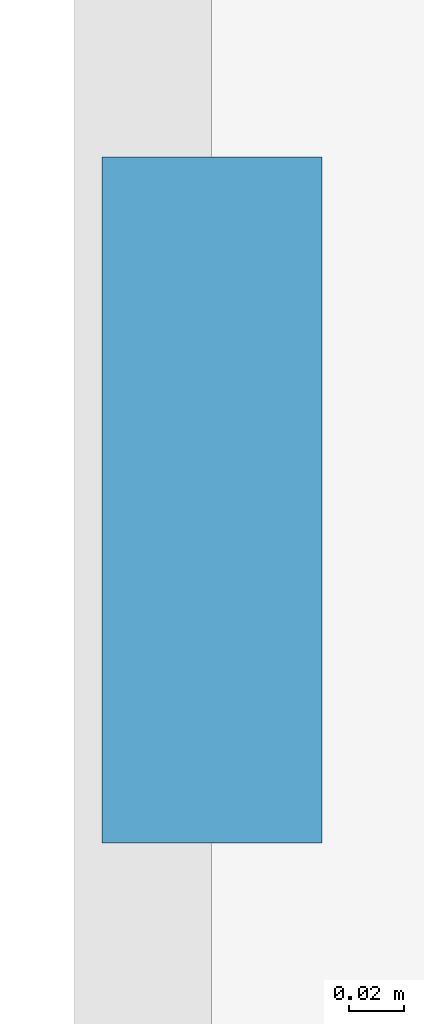
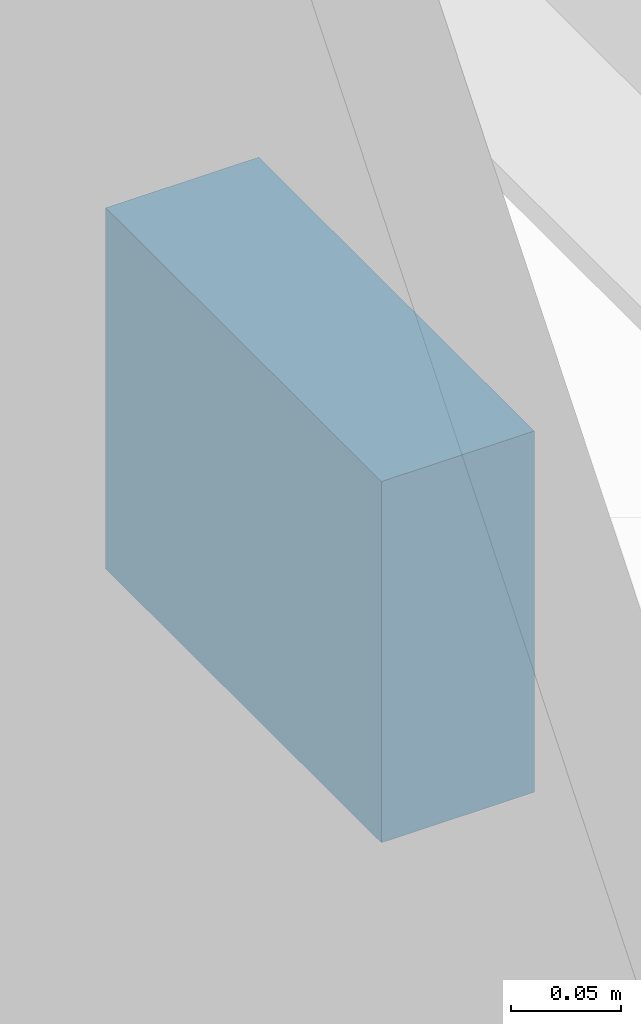
# One storey, part 127 of 278: 1 discrete accessory.
"""IFC4 building model written with IfcOpenShell, lengths in metres."""

from ifc_helpers import new_model, si_unit, direction, frame, origin, origin_2d, place, context, subcontext, project, spatial, rectangle, extrude, material, layer, layer_set, type_object, element, save


model = new_model("IFC4")

# Units and contexts
model_context = context("Model", 3, precision=1e-05, world=origin(), true_north=direction((0.0, 1.0)))
body_context = subcontext(model_context, "Body", "Model", "MODEL_VIEW")
ifc_project = project(units=[si_unit("LENGTHUNIT", "METRE"), si_unit("AREAUNIT", "SQUARE_METRE"), si_unit("VOLUMEUNIT", "CUBIC_METRE"), si_unit("PLANEANGLEUNIT", "RADIAN"), si_unit("MASSUNIT", "GRAM", prefix="KILO")], contexts=[model_context])

# Site, building, storey
site_placement = place(None, origin())
site = spatial("IfcSite", under=ifc_project, at=site_placement, CompositionType="ELEMENT")
building_placement = place(site_placement, origin())
building = spatial("IfcBuilding", under=site, at=building_placement, Name="Ogive Plaza Stadium", CompositionType="ELEMENT")
storey_placement = place(building_placement, frame((0.0, 0.0, 29.0)))
storey = spatial("IfcBuildingStorey", under=building, at=storey_placement, Name="Roof", CompositionType="ELEMENT", Elevation=29.0)

# Discrete accessory
ifc_material = material(Name="Steel ASTM A572 Grade 50", Category="steel")
ifc_layer = layer(ifc_material, 0.080078125)
ifc_layer_set = layer_set([ifc_layer], Name="Steel ASTM A572 Grade 50")
discrete_accessory_type = type_object("IfcDiscreteAccessoryType", Name="Tracery screen bracket 250x200", PredefinedType="BRACKET", material=ifc_layer_set)
discrete_accessory_placement = place(storey_placement, frame((-84.602294921875, -48.066650390625, 5.25), z_axis=(0.0, 0.0, 1.0), x_axis=(0.0, 1.0, 0.0)))
element("IfcDiscreteAccessory", 1, at=discrete_accessory_placement, inside=storey, type_object=discrete_accessory_type, Name="TRACERY SCREEN BRACKET B21 3", PredefinedType="BRACKET", context=body_context, shape_type="SweptSolid", body=[
    extrude(rectangle(XDim=0.25, YDim=0.080078125, at=origin_2d()), origin(), (0.0, 0.0, 1.0), 0.199951171875),
])

save(model, "model.ifc")
